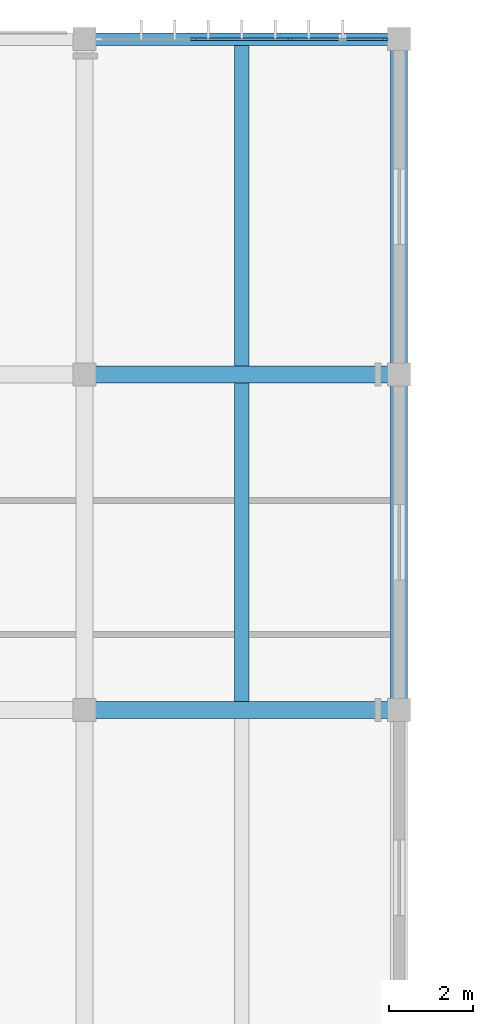
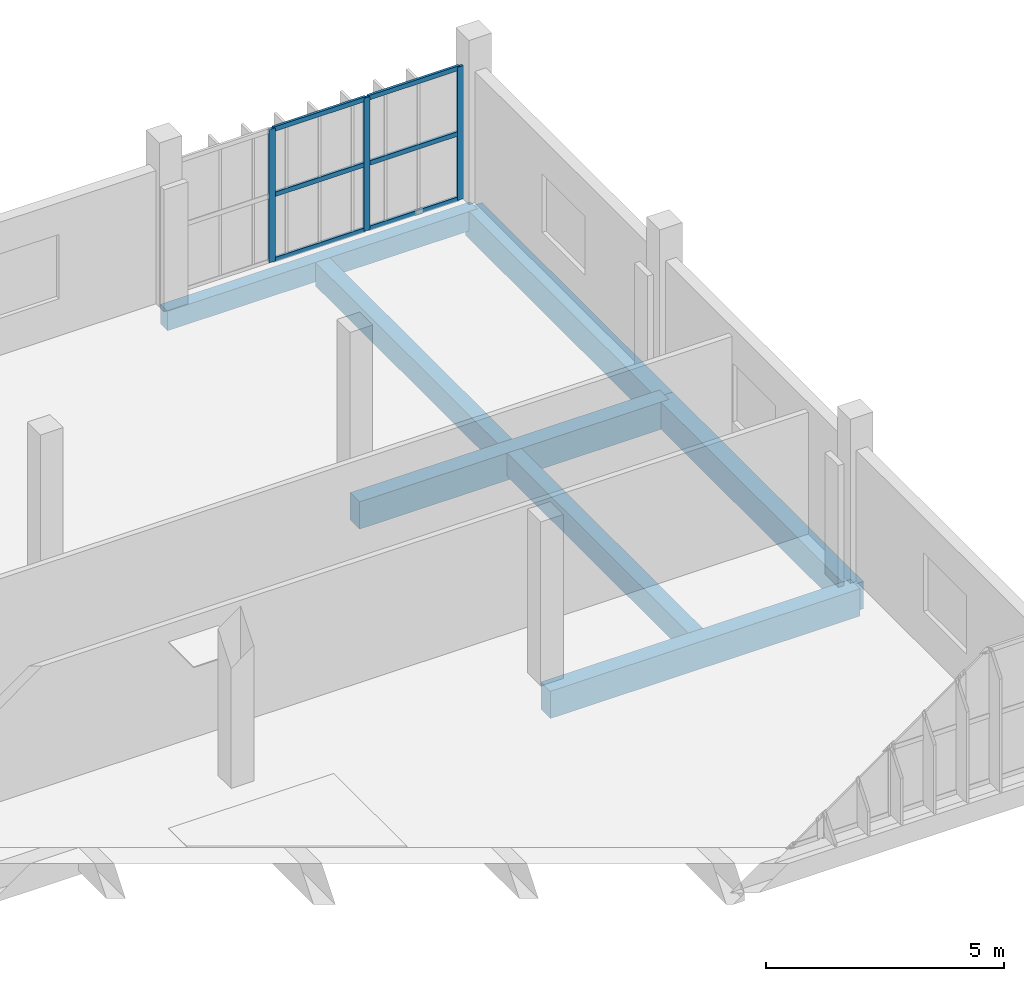
# One storey, part 31 of 61: 9 members, 7 beams, 1 element without a shape of its own.
"""IFC4 building model written with IfcOpenShell, lengths in metres."""

from ifc_helpers import new_model, si_unit, direction, frame, origin, origin_2d, place, context, subcontext, project, spatial, rectangle, extrude, material, material_profile, profile_set, type_object, element, aggregate, save


model = new_model("IFC4")

# Units and contexts
model_context = context("Model", 3, precision=1e-05, world=origin(), true_north=direction((0.0, 1.0)))
body_context = subcontext(model_context, "Body", "Model", "MODEL_VIEW")
ifc_project = project(units=[si_unit("LENGTHUNIT", "METRE"), si_unit("AREAUNIT", "SQUARE_METRE"), si_unit("VOLUMEUNIT", "CUBIC_METRE"), si_unit("PLANEANGLEUNIT", "RADIAN"), si_unit("MASSUNIT", "GRAM", prefix="KILO")], contexts=[model_context])

# Site, building, storey
site_placement = place(None, origin())
site = spatial("IfcSite", under=ifc_project, at=site_placement, CompositionType="ELEMENT")
building_placement = place(site_placement, origin())
building = spatial("IfcBuilding", under=site, at=building_placement, Name="Vourika Railside Aquatics Centre", CompositionType="ELEMENT")
storey_placement = place(building_placement, frame((0.0, 0.0, 9.300048828125)))
storey = spatial("IfcBuildingStorey", under=building, at=storey_placement, Name="L02", CompositionType="ELEMENT", Elevation=9.300048828125)

# Beams
ifc_material_1 = material(Name="Concrete C35/45", Category="concrete")
ifc_material_profile_1 = material_profile(ifc_material_1, rectangle(XDim=0.39990234375, YDim=0.699951171875, at=origin_2d()), Name="RC 400x700")
ifc_profile_set_1 = profile_set([ifc_material_profile_1], Name="Concrete C35/45")
beam_type_1 = type_object("IfcBeamType", Name="BM-GIRD-400x700", PredefinedType="BEAM", material=ifc_profile_set_1)
for number, where, z_axis, x_axis, name in (
    (1, (126.0, 100.0, -0.630126953125), (1.0, 0.0, 0.0), (0.0, 1.0, 0.0), "Floor Beam GX-L02-117"),
    (2, (126.0, 108.0, -0.630126953125), (1.0, 0.0, 0.0), (0.0, 1.0, 0.0), "Floor Beam GX-L02-132"),
):
    element("IfcBeam", number, at=place(storey_placement, frame(where, z_axis=z_axis, x_axis=x_axis)), inside=storey, type_object=beam_type_1, Name=name, PredefinedType="BEAM", context=body_context, shape_type="SweptSolid", body=[
        extrude(rectangle(XDim=0.39990234375, YDim=0.699951171875, at=origin_2d()), origin(), (0.0, 0.0, 1.0), 7.5),
    ])
for number, where, z_axis, x_axis, name in (
    (3, (133.5, 100.0, -0.630126953125), (0.0, 1.0, 0.0), (-1.0, 0.0, 0.0), "Floor Girder GY-L02-252"),
    (4, (133.5, 108.0, -0.630126953125), (0.0, 1.0, 0.0), (-1.0, 0.0, 0.0), "Floor Girder GY-L02-253"),
):
    element("IfcBeam", number, at=place(storey_placement, frame(where, z_axis=z_axis, x_axis=x_axis)), inside=storey, type_object=beam_type_1, Name=name, PredefinedType="BEAM", context=body_context, shape_type="SweptSolid", body=[
        extrude(rectangle(XDim=0.39990234375, YDim=0.699951171875, at=origin_2d()), origin(), (0.0, 0.0, 1.0), 8.0),
    ])
ifc_material_profile_2 = material_profile(ifc_material_1, rectangle(XDim=0.35009765625, YDim=0.60009765625, at=origin_2d()), Name="RC 350x600")
ifc_profile_set_2 = profile_set([ifc_material_profile_2], Name="Concrete C35/45")
beam_type_2 = type_object("IfcBeamType", Name="BM-SEC-350x600", PredefinedType="JOIST", material=ifc_profile_set_2)
beam_1_placement = place(storey_placement, frame((129.75, 100.199951171875, -0.580078125), z_axis=(0.0, 1.0, 0.0), x_axis=(-1.0, 0.0, 0.0)))
element("IfcBeam", 5, at=beam_1_placement, inside=storey, type_object=beam_type_2, Name="Secondary Joist JY-L02-363", PredefinedType="JOIST", context=body_context, shape_type="SweptSolid", body=[
    extrude(rectangle(XDim=0.35009765625, YDim=0.60009765625, at=origin_2d()), origin(), (0.0, 0.0, 1.0), 7.60009765625),
])
beam_2_placement = place(storey_placement, frame((129.75, 108.199951171875, -0.580078125), z_axis=(0.0, 1.0, 0.0), x_axis=(-1.0, 0.0, 0.0)))
element("IfcBeam", 6, at=beam_2_placement, inside=storey, type_object=beam_type_2, Name="Secondary Joist JY-L02-372", PredefinedType="JOIST", context=body_context, shape_type="SweptSolid", body=[
    extrude(rectangle(XDim=0.35009765625, YDim=0.60009765625, at=origin_2d()), origin(), (0.0, 0.0, 1.0), 7.650146484375),
])
ifc_material_profile_3 = material_profile(ifc_material_1, rectangle(XDim=0.300048828125, YDim=0.5, at=origin_2d()), Name="RC 300x500")
ifc_profile_set_3 = profile_set([ifc_material_profile_3], Name="Concrete C35/45")
beam_type_3 = type_object("IfcBeamType", Name="BM-SPAN-300x500", PredefinedType="SPANDREL", material=ifc_profile_set_3)
beam_3_placement = place(storey_placement, frame((126.0, 116.0, -0.530029296875), z_axis=(1.0, 0.0, 0.0), x_axis=(0.0, 1.0, 0.0)))
element("IfcBeam", 7, at=beam_3_placement, inside=storey, type_object=beam_type_3, Name="Floor Beam GX-L02-147", PredefinedType="SPANDREL", context=body_context, shape_type="SweptSolid", body=[
    extrude(rectangle(XDim=0.300048828125, YDim=0.5, at=origin_2d()), origin(), (0.0, 0.0, 1.0), 7.5),
])

# Curtain wall, members
ifc_material_2 = material(Name="Anodized thermally broken aluminium", Category="aluminium")
curtain_wall_type = type_object("IfcCurtainWallType", Name="CW-FIT2", PredefinedType="NOTDEFINED", material=ifc_material_2)
curtain_wall_placement = place(storey_placement, origin())
curtain_wall = element("IfcCurtainWall", 8, at=curtain_wall_placement, inside=storey, type_object=curtain_wall_type, Name="North Boulevard Curtain Wall L02-15", PredefinedType="NOTDEFINED")
ifc_material_3 = material(Name="Anodized aluminium mullion", Category="aluminium")
ifc_material_profile_4 = material_profile(ifc_material_3, rectangle(XDim=0.06005859375, YDim=0.14990234375, at=origin_2d()), Name="ALU-M 60x150")
ifc_profile_set_4 = profile_set([ifc_material_profile_4], Name="Anodized aluminium mullion")
member_type_1 = type_object("IfcMemberType", Name="CWM-FIT2", PredefinedType="MULLION", material=ifc_profile_set_4)
member_1_placement = place(storey_placement, frame((133.1650390625, 116.0, 0.0), z_axis=(0.0, 0.0, 1.0), x_axis=(0.0, -1.0, 0.0)))
member_1 = element("IfcMember", 9, at=member_1_placement, type_object=member_type_1, Name="CW16 mullion 1", PredefinedType="MULLION", context=body_context, shape_type="SweptSolid", body=[
    extrude(rectangle(XDim=0.06005859375, YDim=0.14990234375, at=origin_2d()), origin(), (0.0, 0.0, 1.0), 3.409912109375),
])
member_2_placement = place(storey_placement, frame((130.8984375, 116.0, 0.0), z_axis=(0.0, 0.0, 1.0), x_axis=(0.0, -1.0, 0.0)))
member_2 = element("IfcMember", 10, at=member_2_placement, type_object=member_type_1, Name="CW16 mullion 2", PredefinedType="MULLION", context=body_context, shape_type="SweptSolid", body=[
    extrude(rectangle(XDim=0.06005859375, YDim=0.14990234375, at=origin_2d()), origin(), (0.0, 0.0, 1.0), 3.409912109375),
])
member_3_placement = place(storey_placement, frame((128.6015625, 116.0, 0.0), z_axis=(0.0, 0.0, 1.0), x_axis=(0.0, -1.0, 0.0)))
member_3 = element("IfcMember", 11, at=member_3_placement, type_object=member_type_1, Name="CW16 mullion 3", PredefinedType="MULLION", context=body_context, shape_type="SweptSolid", body=[
    extrude(rectangle(XDim=0.06005859375, YDim=0.14990234375, at=origin_2d()), origin(), (0.0, 0.0, 1.0), 3.409912109375),
])
ifc_material_4 = material(Name="Anodized aluminium transom", Category="aluminium")
ifc_material_profile_5 = material_profile(ifc_material_4, rectangle(XDim=0.06005859375, YDim=0.117919921875, at=origin_2d()), Name="ALU-T 60x118")
ifc_profile_set_5 = profile_set([ifc_material_profile_5], Name="Anodized aluminium transom")
member_type_2 = type_object("IfcMemberType", Name="CWT-FIT2", PredefinedType="USERDEFINED", material=ifc_profile_set_5)
member_4_placement = place(storey_placement, frame((133.135009765625, 116.0, 0.030029296875), z_axis=(-1.0, 0.0, 0.0), x_axis=(0.0, -1.0, 0.0)))
member_4 = element("IfcMember", 12, at=member_4_placement, type_object=member_type_2, Name="CW16 transom 1.1", ObjectType="TRANSOM", PredefinedType="USERDEFINED", context=body_context, shape_type="SweptSolid", body=[
    extrude(rectangle(XDim=0.06005859375, YDim=0.117919921875, at=origin_2d()), origin(), (0.0, 0.0, 1.0), 2.206787109375),
])
member_5_placement = place(storey_placement, frame((133.135009765625, 116.0, 1.704833984375), z_axis=(-1.0, 0.0, 0.0), x_axis=(0.0, -1.0, 0.0)))
member_5 = element("IfcMember", 13, at=member_5_placement, type_object=member_type_2, Name="CW16 transom 1.2", ObjectType="TRANSOM", PredefinedType="USERDEFINED", context=body_context, shape_type="SweptSolid", body=[
    extrude(rectangle(XDim=0.06005859375, YDim=0.117919921875, at=origin_2d()), origin(), (0.0, 0.0, 1.0), 2.206787109375),
])
member_6_placement = place(storey_placement, frame((133.135009765625, 116.0, 3.3798828125), z_axis=(-1.0, 0.0, 0.0), x_axis=(0.0, -1.0, 0.0)))
member_6 = element("IfcMember", 14, at=member_6_placement, type_object=member_type_2, Name="CW16 transom 1.3", ObjectType="TRANSOM", PredefinedType="USERDEFINED", context=body_context, shape_type="SweptSolid", body=[
    extrude(rectangle(XDim=0.06005859375, YDim=0.117919921875, at=origin_2d()), origin(), (0.0, 0.0, 1.0), 2.206787109375),
])
member_7_placement = place(storey_placement, frame((130.868408203125, 116.0, 0.030029296875), z_axis=(-1.0, 0.0, 0.0), x_axis=(0.0, -1.0, 0.0)))
member_7 = element("IfcMember", 15, at=member_7_placement, type_object=member_type_2, Name="CW16 transom 2.1", ObjectType="TRANSOM", PredefinedType="USERDEFINED", context=body_context, shape_type="SweptSolid", body=[
    extrude(rectangle(XDim=0.06005859375, YDim=0.117919921875, at=origin_2d()), origin(), (0.0, 0.0, 1.0), 2.23681640625),
])
member_8_placement = place(storey_placement, frame((130.868408203125, 116.0, 1.704833984375), z_axis=(-1.0, 0.0, 0.0), x_axis=(0.0, -1.0, 0.0)))
member_8 = element("IfcMember", 16, at=member_8_placement, type_object=member_type_2, Name="CW16 transom 2.2", ObjectType="TRANSOM", PredefinedType="USERDEFINED", context=body_context, shape_type="SweptSolid", body=[
    extrude(rectangle(XDim=0.06005859375, YDim=0.117919921875, at=origin_2d()), origin(), (0.0, 0.0, 1.0), 2.23681640625),
])
member_9_placement = place(storey_placement, frame((130.868408203125, 116.0, 3.3798828125), z_axis=(-1.0, 0.0, 0.0), x_axis=(0.0, -1.0, 0.0)))
member_9 = element("IfcMember", 17, at=member_9_placement, type_object=member_type_2, Name="CW16 transom 2.3", ObjectType="TRANSOM", PredefinedType="USERDEFINED", context=body_context, shape_type="SweptSolid", body=[
    extrude(rectangle(XDim=0.06005859375, YDim=0.117919921875, at=origin_2d()), origin(), (0.0, 0.0, 1.0), 2.23681640625),
])
aggregate(curtain_wall, [member_1, member_2, member_3, member_4, member_5, member_6, member_7, member_8, member_9])

save(model, "model.ifc")
